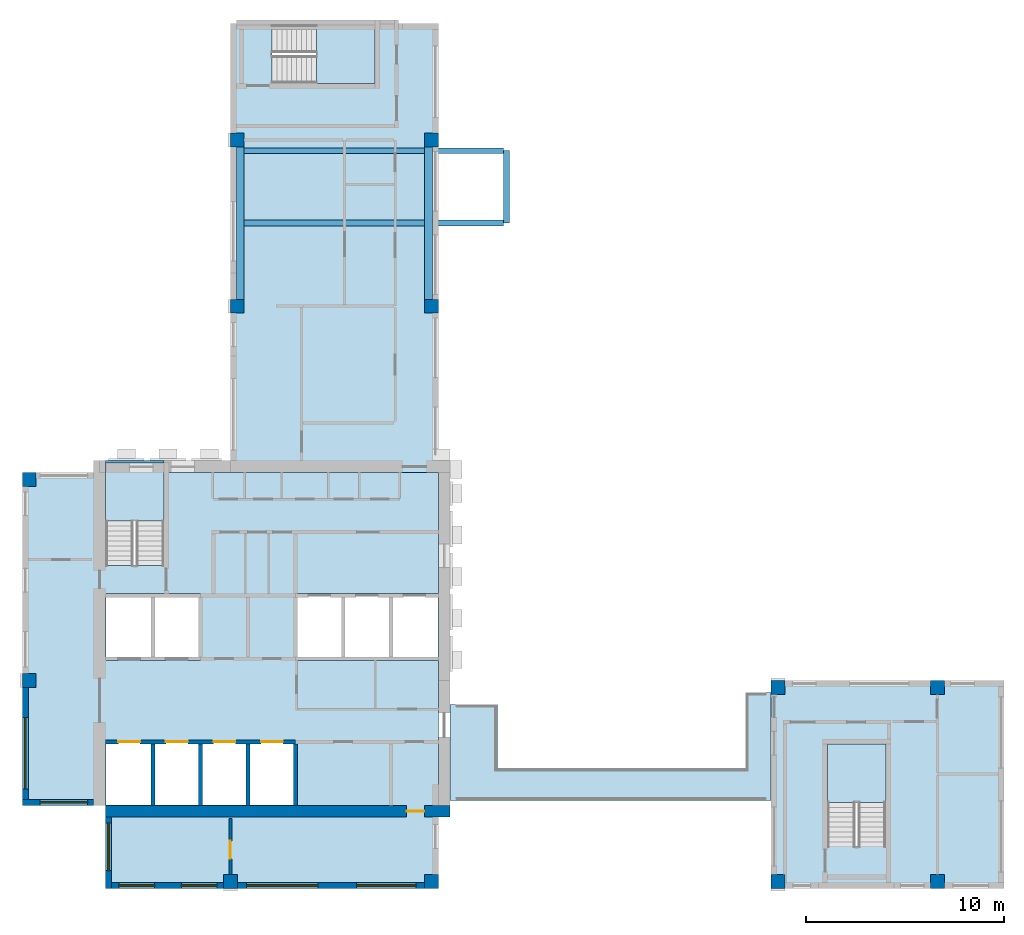
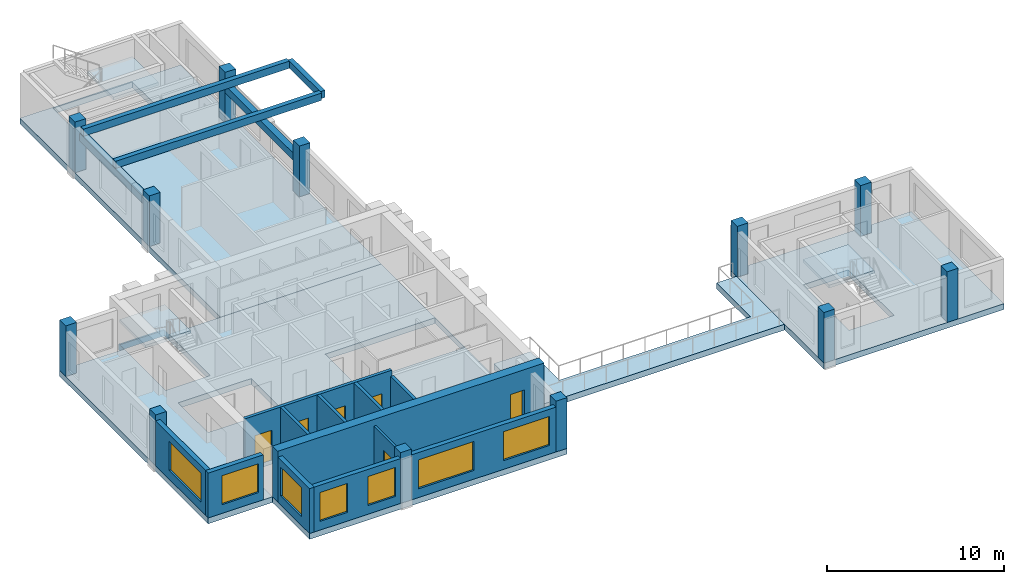
# One storey, part 1 of 9: 12 columns, 12 walls, 8 slabs, 7 windows, 6 doors, 5 beams, 13 openings, 3 elements without a shape of their own.
"""IFC4 building model written with IfcOpenShell, lengths in metres."""

from ifc_helpers import new_model, si_unit, direction, frame, frame_2d, origin, origin_2d, place, context, subcontext, project, spatial, polyline, rectangle, outline, extrude, source, transform, mapped, material, layer, layer_set, material_profile, profile_set, type_object, element, fill, aggregate, save


model = new_model("IFC4")

# Units and contexts
model_context = context("Model", 3, precision=1e-05, world=origin(), true_north=direction((0.0, 1.0)))
body_context = subcontext(model_context, "Body", "Model", "MODEL_VIEW")
ifc_project = project(units=[si_unit("LENGTHUNIT", "METRE"), si_unit("AREAUNIT", "SQUARE_METRE"), si_unit("VOLUMEUNIT", "CUBIC_METRE"), si_unit("PLANEANGLEUNIT", "RADIAN"), si_unit("MASSUNIT", "GRAM", prefix="KILO")], contexts=[model_context])

# Site, building, storey
site_placement = place(None, origin())
site = spatial("IfcSite", under=ifc_project, at=site_placement, CompositionType="ELEMENT")
building_placement = place(site_placement, origin())
building = spatial("IfcBuilding", under=site, at=building_placement, Name="Aurelian Terraces", CompositionType="ELEMENT")
storey_placement = place(building_placement, frame((0.0, 0.0, 295.0)))
storey = spatial("IfcBuildingStorey", under=building, at=storey_placement, Name="L67", CompositionType="ELEMENT", Elevation=295.0)

# Columns
ifc_material_1 = material(Name="Concrete fc' 55 MPa", Category="concrete")
ifc_material_profile_1 = material_profile(ifc_material_1, rectangle(XDim=0.7, YDim=0.7, at=origin_2d()))
ifc_profile_set_1 = profile_set([ifc_material_profile_1], Name="Concrete fc' 55 MPa")
column_type = type_object("IfcColumnType", Name="RC COLUMN 700X700 FC55", PredefinedType="COLUMN", material=ifc_profile_set_1)
shared_shape_1 = source(origin(), body_context, "Body", "SweptSolid", [
    extrude(rectangle(XDim=0.7, YDim=0.7, at=origin_2d()), origin(), (0.0, 0.0, 1.0), 3.5),
])
for number, where, z_axis, x_axis, name in (
    (1, (10.5, 0.35, 0.0), (0.0, 0.0, 1.0), (1.0, 0.0, 0.0), "Column 2/A L67"),
    (2, (20.65, 0.35, 0.0), (0.0, 0.0, 1.0), (1.0, 0.0, 0.0), "Column 3/A L67"),
    (3, (38.15, 0.35, 0.0), (0.0, 0.0, 1.0), (1.0, 0.0, 0.0), "Column 5/A L67"),
    (4, (46.2, 0.35, 0.0), (0.0, 0.0, 1.0), (1.0, 0.0, 0.0), "Column 6/A L67"),
    (5, (0.35, 10.5, 0.0), (0.0, 0.0, 1.0), (1.0, 0.0, 0.0), "Column 1/B L67"),
    (6, (38.15, 10.15, 0.0), (0.0, 0.0, 1.0), (1.0, 0.0, 0.0), "Column 5/B L67"),
    (7, (46.2, 10.15, 0.0), (0.0, 0.0, 1.0), (1.0, 0.0, 0.0), "Column 6/B L67"),
    (8, (0.35, 20.65, 0.0), (0.0, 0.0, 1.0), (1.0, 0.0, 0.0), "Column 1/C L67"),
    (9, (10.85, 29.4, 0.0), (0.0, 0.0, 1.0), (1.0, 0.0, 0.0), "Column 2/D L67"),
    (10, (20.65, 29.4, 0.0), (0.0, 0.0, 1.0), (1.0, 0.0, 0.0), "Column 3/D L67"),
    (11, (10.85, 37.8, 0.0), (0.0, 0.0, 1.0), (1.0, 0.0, 0.0), "Column 2/E L67"),
    (12, (20.65, 37.8, 0.0), (0.0, 0.0, 1.0), (1.0, 0.0, 0.0), "Column 3/E L67"),
):
    element("IfcColumn", number, at=place(storey_placement, frame(where, z_axis=z_axis, x_axis=x_axis)), inside=storey, type_object=column_type, Name=name, PredefinedType="COLUMN", context=body_context, shape_type="MappedRepresentation", body=[
        mapped(shared_shape_1, transform((0.0, 0.0, 0.0), scale=1.0)),
    ])

# Beams
ifc_material_2 = material(Name="Concrete fc' 40 MPa", Category="concrete")
ifc_material_profile_2 = material_profile(ifc_material_2, rectangle(XDim=0.3, YDim=0.5, at=origin_2d()))
ifc_profile_set_2 = profile_set([ifc_material_profile_2], Name="Concrete fc' 40 MPa")
beam_type_1 = type_object("IfcBeamType", Name="CONCRETE CANTILEVER BEAM 300X500", PredefinedType="BEAM", material=ifc_profile_set_2)
beam_placement = place(storey_placement, frame((24.45, 33.6, 2.85), z_axis=(0.0, 1.0, 0.0), x_axis=(-1.0, 0.0, 0.0)))
element("IfcBeam", 13, at=beam_placement, inside=storey, type_object=beam_type_1, Name="Box tip beam J90", PredefinedType="BEAM", context=body_context, shape_type="SweptSolid", body=[
    extrude(rectangle(XDim=0.3, YDim=0.5, at=origin_2d()), origin(), (0.0, 0.0, 1.0), 3.65),
])
ifc_material_profile_3 = material_profile(ifc_material_2, rectangle(XDim=0.4, YDim=0.5, at=origin_2d()))
ifc_profile_set_3 = profile_set([ifc_material_profile_3], Name="Concrete fc' 40 MPa")
beam_type_2 = type_object("IfcBeamType", Name="CONCRETE EDGE GIRDER 400X500", PredefinedType="BEAM", material=ifc_profile_set_3)
shared_shape_2 = source(origin(), body_context, "Body", "SweptSolid", [
    extrude(rectangle(XDim=0.4, YDim=0.5, at=origin_2d()), origin(), (0.0, 0.0, 1.0), 7.7),
])
for number, where, z_axis, x_axis, name in (
    (14, (20.5, 29.75, 2.35), (0.0, 1.0, 0.0), (-1.0, 0.0, 0.0), "Box girder L67 O175"),
    (15, (11.0, 29.75, 2.35), (0.0, 1.0, 0.0), (-1.0, 0.0, 0.0), "Box girder L67 I176"),
):
    element("IfcBeam", number, at=place(storey_placement, frame(where, z_axis=z_axis, x_axis=x_axis)), inside=storey, type_object=beam_type_2, Name=name, PredefinedType="BEAM", context=body_context, shape_type="MappedRepresentation", body=[
        mapped(shared_shape_2, transform((0.0, 0.0, 0.0), scale=1.0)),
    ])
shared_shape_3 = source(origin(), body_context, "Body", "SweptSolid", [
    extrude(rectangle(XDim=0.3, YDim=0.5, at=origin_2d()), origin(), (0.0, 0.0, 1.0), 13.45),
])
for number, where, z_axis, x_axis, name in (
    (16, (24.3, 33.6, 2.85), (-1.0, 0.0, 0.0), (0.0, -1.0, 0.0), "Box cantilever beam J90.1"),
    (17, (24.3, 37.25, 2.85), (-1.0, 0.0, 0.0), (0.0, -1.0, 0.0), "Box cantilever beam J90.2"),
):
    element("IfcBeam", number, at=place(storey_placement, frame(where, z_axis=z_axis, x_axis=x_axis)), inside=storey, type_object=beam_type_1, Name=name, PredefinedType="BEAM", context=body_context, shape_type="MappedRepresentation", body=[
        mapped(shared_shape_3, transform((0.0, 0.0, 0.0), scale=1.0)),
    ])

# Slabs
ifc_layer_1 = layer(ifc_material_2, 0.4001)
ifc_layer_set_1 = layer_set([ifc_layer_1], Name="Terrace slab 400")
slab_type_1 = type_object("IfcSlabType", Name="Terrace slab 400", PredefinedType="NOTDEFINED", material=ifc_layer_set_1)
slab_1_placement = place(storey_placement, frame((0.0, 0.0, -0.4001)))
element("IfcSlab", 18, at=slab_1_placement, inside=storey, type_object=slab_type_1, Name="Sky bridge L67 BLADE-S-B67", PredefinedType="NOTDEFINED", context=body_context, shape_type="SweptSolid", body=[
    extrude(outline(polyline([(37.8, 4.45), (36.5, 4.45), (24.0, 4.45), (21.6, 4.45), (21.6, 6.05), (21.6, 9.3), (24.0, 9.3), (24.0, 6.05), (36.5, 6.05), (36.5, 9.9), (37.8, 9.9), (37.8, 6.05), (37.8, 4.45)])), origin(), (0.0, 0.0, 1.0), 0.4001),
])
ifc_layer_2 = layer(ifc_material_2, 0.4)
ifc_layer_set_2 = layer_set([ifc_layer_2], Name="PT FLAT PLATE 400")
slab_type_2 = type_object("IfcSlabType", Name="PT FLAT PLATE 400", PredefinedType="FLOOR", material=ifc_layer_set_2)
shared_shape_4 = source(origin(), body_context, "Body", "SweptSolid", [
    extrude(outline(polyline([(10.5, 43.68), (14.7, 43.68), (16.8, 43.68), (21.0, 43.68), (21.0, 21.0), (10.5, 21.0), (10.5, 43.68)]), holes=[polyline([(17.79, 43.59), (12.61, 43.59), (12.61, 40.66), (17.79, 40.66), (17.79, 43.59)])]), origin(), (0.0, 0.0, 1.0), 0.4),
])
slab_2_placement = place(storey_placement, frame((0.0, 0.0, -0.4)))
element("IfcSlab", 19, at=slab_2_placement, inside=storey, type_object=slab_type_2, Name="Floor slab W L67", PredefinedType="FLOOR", context=body_context, shape_type="MappedRepresentation", body=[
    mapped(shared_shape_4, transform((0.0, 0.0, 0.0), scale=1.0)),
])
shared_shape_5 = source(origin(), body_context, "Body", "SweptSolid", [
    extrude(outline(polyline([(4.2, 21.0), (4.2, 21.6), (7.15, 21.6), (7.15, 21.0), (7.14, 21.0), (7.14, 21.49), (4.21, 21.49), (4.21, 21.0), (4.2, 21.0)])), origin(), (0.0, 0.0, 1.0), 0.4),
])
slab_3_placement = place(storey_placement, frame((0.0, 0.0, -0.4)))
element("IfcSlab", 20, at=slab_3_placement, inside=storey, type_object=slab_type_2, Name="Floor slab W2 L67", PredefinedType="FLOOR", context=body_context, shape_type="MappedRepresentation", body=[
    mapped(shared_shape_5, transform((0.0, 0.0, 0.0), scale=1.0)),
])
shared_shape_6 = source(origin(), body_context, "Body", "SweptSolid", [
    extrude(outline(polyline([(4.2, 4.2), (0.0, 4.2), (0.0, 10.5), (0.0, 21.0), (4.21, 21.0), (4.21, 16.31), (7.14, 16.31), (7.14, 21.0), (21.0, 21.0), (21.0, 10.5), (21.0, 0.0), (4.2, 0.0), (4.2, 4.2)]), holes=[polyline([(13.81, 14.89), (13.81, 11.51), (20.99, 11.51), (20.99, 14.89), (13.81, 14.89)]), polyline([(4.21, 7.49), (4.21, 4.21), (13.79, 4.21), (13.79, 7.49), (4.21, 7.49)]), polyline([(8.99, 11.51), (8.99, 14.89), (4.21, 14.89), (4.21, 11.51), (8.99, 11.51)])]), origin(), (0.0, 0.0, 1.0), 0.4),
])
slab_4_placement = place(storey_placement, frame((0.0, 0.0, -0.4)))
element("IfcSlab", 21, at=slab_4_placement, inside=storey, type_object=slab_type_2, Name="Floor slab S L67", PredefinedType="FLOOR", context=body_context, shape_type="MappedRepresentation", body=[
    mapped(shared_shape_6, transform((0.0, 0.0, 0.0), scale=1.0)),
])
shared_shape_7 = source(origin(), body_context, "Body", "SweptSolid", [
    extrude(outline(polyline([(37.8, 10.5), (49.56, 10.5), (49.56, 6.3), (49.56, 4.2), (49.56, 0.0), (37.8, 0.0), (37.8, 10.5)]), holes=[polyline([(40.66, 2.11), (43.59, 2.11), (43.59, 7.29), (40.66, 7.29), (40.66, 2.11)])]), origin(), (0.0, 0.0, 1.0), 0.4),
])
slab_5_placement = place(storey_placement, frame((0.0, 0.0, -0.4)))
element("IfcSlab", 22, at=slab_5_placement, inside=storey, type_object=slab_type_2, Name="Floor slab S2 L67", PredefinedType="FLOOR", context=body_context, shape_type="MappedRepresentation", body=[
    mapped(shared_shape_7, transform((0.0, 0.0, 0.0), scale=1.0)),
])

# Stair, slab
stair_type = type_object("IfcStairType", Name="Stair 1400", PredefinedType="HALF_TURN_STAIR", material=ifc_material_2)
stair_1_placement = place(storey_placement, origin())
stair_1 = element("IfcStair", 23, at=stair_1_placement, inside=storey, type_object=stair_type, Name="L67 S1", PredefinedType="HALF_TURN_STAIR")
ifc_layer_3 = layer(ifc_material_2, 0.2)
ifc_layer_set_3 = layer_set([ifc_layer_3], Name="Stair landing 200")
slab_type_3 = type_object("IfcSlabType", Name="Stair landing 200", PredefinedType="LANDING", material=ifc_layer_set_3)
shared_shape_8 = source(origin(), body_context, "Body", "SweptSolid", [
    extrude(outline(polyline([(7.15, 18.55), (7.15, 21.5), (4.2, 21.5), (4.2, 18.55), (7.15, 18.55)])), origin(), (0.0, 0.0, 1.0), 0.2),
])
slab_6_placement = place(storey_placement, frame((0.0, 0.0, 1.55)))
slab_6 = element("IfcSlab", 24, at=slab_6_placement, type_object=slab_type_3, Name="S1 landing 1", PredefinedType="LANDING", context=body_context, shape_type="MappedRepresentation", body=[
    mapped(shared_shape_8, transform((0.0, 0.0, 0.0), scale=1.0)),
])
aggregate(stair_1, [slab_6])

stair_2_placement = place(storey_placement, origin())
stair_2 = element("IfcStair", 25, at=stair_2_placement, inside=storey, type_object=stair_type, Name="L67 S2", PredefinedType="HALF_TURN_STAIR")
shared_shape_9 = source(origin(), body_context, "Body", "SweptSolid", [
    extrude(outline(polyline([(43.6, 4.35), (43.6, 7.3), (40.65, 7.3), (40.65, 4.35), (43.6, 4.35)])), origin(), (0.0, 0.0, 1.0), 0.2),
])
slab_7_placement = place(storey_placement, frame((0.0, 0.0, 1.55)))
slab_7 = element("IfcSlab", 26, at=slab_7_placement, type_object=slab_type_3, Name="S2 landing 1", PredefinedType="LANDING", context=body_context, shape_type="MappedRepresentation", body=[
    mapped(shared_shape_9, transform((0.0, 0.0, 0.0), scale=1.0)),
])
aggregate(stair_2, [slab_7])

stair_3_placement = place(storey_placement, origin())
stair_3 = element("IfcStair", 27, at=stair_3_placement, inside=storey, type_object=stair_type, Name="L67 S3U", PredefinedType="HALF_TURN_STAIR")
shared_shape_10 = source(origin(), body_context, "Body", "SweptSolid", [
    extrude(outline(polyline([(14.85, 40.65), (17.8, 40.65), (17.8, 43.6), (14.85, 43.6), (14.85, 40.65)])), origin(), (0.0, 0.0, 1.0), 0.2),
])
slab_8_placement = place(storey_placement, frame((0.0, 0.0, 1.55)))
slab_8 = element("IfcSlab", 28, at=slab_8_placement, type_object=slab_type_3, Name="S3U landing 1", PredefinedType="LANDING", context=body_context, shape_type="MappedRepresentation", body=[
    mapped(shared_shape_10, transform((0.0, 0.0, 0.0), scale=1.0)),
])
aggregate(stair_3, [slab_8])

# Wall, opening, door
ifc_material_3 = material(Name="Gypsum board on steel studs", Category="steel")
ifc_layer_4 = layer(ifc_material_3, 0.15)
ifc_layer_set_4 = layer_set([ifc_layer_4], Name="Partition 150")
wall_type_1 = type_object("IfcWallType", Name="Partition 150", PredefinedType="PARTITIONING", material=ifc_layer_set_4)
wall_1_placement = place(storey_placement, frame((10.5, 3.525, 0.0), z_axis=(0.0, 0.0, 1.0), x_axis=(0.0, -1.0, 0.0)))
wall_1 = element("IfcWall", 29, at=wall_1_placement, inside=storey, type_object=wall_type_1, Name="Partition", PredefinedType="PARTITIONING", context=body_context, shape_type="SweptSolid", body=[
    extrude(rectangle(XDim=2.826, YDim=0.15, at=frame_2d((1.413, 0.0))), origin(), (0.0, 0.0, 1.0), 3.1),
])
shared_shape_11 = source(origin(), body_context, "Body", "SweptSolid", [
    extrude(rectangle(XDim=0.9, YDim=2.1, at=frame_2d((0.45, 1.05))), frame((0.0, 0.085, 0.0), z_axis=(0.0, -1.0, 0.0), x_axis=(1.0, 0.0, 0.0)), (0.0, 0.0, 1.0), 0.17),
])
opening_1_placement = place(wall_1_placement, frame((1.125, 0.0, 0.0)))
opening_1 = element("IfcOpeningElement", 30, at=opening_1_placement, cuts=wall_1, Name="Opening 767001", PredefinedType="OPENING", context=body_context, shape_type="MappedRepresentation", body=[
    mapped(shared_shape_11, transform((0.0, 0.0, 0.0), scale=1.0)),
])
ifc_material_4 = material(Name="Timber door leaf", Category="wood")
door_type_1 = type_object("IfcDoorType", Name="Room door 900x2100 left", OperationType="SINGLE_SWING_LEFT", PredefinedType="DOOR", material=ifc_material_4)
shared_shape_12 = source(origin(), body_context, "Body", "SweptSolid", [
    extrude(rectangle(XDim=0.9, YDim=2.1, at=frame_2d((0.45, 1.05))), frame((0.0, 0.025, 0.0), z_axis=(0.0, -1.0, 0.0), x_axis=(1.0, 0.0, 0.0)), (0.0, 0.0, 1.0), 0.05),
])
door_1_placement = place(opening_1_placement, origin())
door_1 = element("IfcDoor", 31, at=door_1_placement, inside=storey, type_object=door_type_1, Name="Door 767001", OperationType="SINGLE_SWING_LEFT", OverallHeight=2.1, OverallWidth=0.9, PredefinedType="DOOR", context=body_context, shape_type="MappedRepresentation", body=[
    mapped(shared_shape_12, transform((0.0, 0.0, 0.0), scale=1.0)),
])
fill(opening_1, door_1)

ifc_layer_5 = layer(ifc_material_1, 0.6)
ifc_layer_set_5 = layer_set([ifc_layer_5], Name="CORE WALL 600 FC55")
wall_type_2 = type_object("IfcWallType", Name="CORE WALL 600 FC55", PredefinedType="SHEAR", material=ifc_layer_set_5)
shared_shape_13 = source(origin(), body_context, "Body", "SweptSolid", [
    extrude(rectangle(XDim=17.4, YDim=0.6, at=frame_2d((8.7, 0.0))), origin(), (0.0, 0.0, 1.0), 3.5),
])
wall_2_placement = place(storey_placement, frame((4.2, 3.9, 0.0), z_axis=(0.0, 0.0, 1.0), x_axis=(1.0, 0.0, 0.0)))
wall_2 = element("IfcWall", 32, at=wall_2_placement, inside=storey, type_object=wall_type_2, Name="Core wall S L67", PredefinedType="SHEAR", context=body_context, shape_type="MappedRepresentation", body=[
    mapped(shared_shape_13, transform((0.0, 0.0, 0.0), scale=1.0)),
])
shared_shape_14 = source(origin(), body_context, "Body", "SweptSolid", [
    extrude(rectangle(XDim=0.9, YDim=2.1, at=frame_2d((0.45, 1.05))), frame((0.0, 0.31, 0.0), z_axis=(0.0, -1.0, 0.0), x_axis=(1.0, 0.0, 0.0)), (0.0, 0.0, 1.0), 0.62),
])
opening_2_placement = place(wall_2_placement, frame((15.2, 0.0, 0.0)))
opening_2 = element("IfcOpeningElement", 33, at=opening_2_placement, cuts=wall_2, Name="Opening 67034", PredefinedType="OPENING", context=body_context, shape_type="MappedRepresentation", body=[
    mapped(shared_shape_14, transform((0.0, 0.0, 0.0), scale=1.0)),
])
ifc_material_5 = material(Name="Steel door leaf", Category="steel")
door_type_2 = type_object("IfcDoorType", Name="Core service door 900x2100 right", OperationType="SINGLE_SWING_RIGHT", PredefinedType="DOOR", material=ifc_material_5)
door_2_placement = place(opening_2_placement, origin())
door_2 = element("IfcDoor", 34, at=door_2_placement, inside=storey, type_object=door_type_2, Name="Core door 67034", OperationType="SINGLE_SWING_RIGHT", OverallHeight=2.1, OverallWidth=0.9, PredefinedType="DOOR", context=body_context, shape_type="MappedRepresentation", body=[
    mapped(shared_shape_12, transform((0.0, 0.0, 0.0), scale=1.0)),
])
fill(opening_2, door_2)

# Wall, opening, window
ifc_material_6 = material(Name="Terracotta rainscreen cladding", Category="masonry")
ifc_layer_6 = layer(ifc_material_6, 0.3)
ifc_layer_set_6 = layer_set([ifc_layer_6], Name="EW-300")
wall_type_3 = type_object("IfcWallType", Name="EW-300", PredefinedType="STANDARD", material=ifc_layer_set_6)
shared_shape_15 = source(origin(), body_context, "Body", "SweptSolid", [
    extrude(rectangle(XDim=3.6, YDim=0.3, at=frame_2d((1.8, 0.0))), origin(), (0.0, 0.0, 1.0), 3.1),
])
wall_3_placement = place(storey_placement, frame((0.0, 4.35, 0.0), z_axis=(0.0, 0.0, 1.0), x_axis=(1.0, 0.0, 0.0)))
wall_3 = element("IfcWall", 35, at=wall_3_placement, inside=storey, type_object=wall_type_3, Name="External wall L67 F11.19", PredefinedType="STANDARD", context=body_context, shape_type="MappedRepresentation", body=[
    mapped(shared_shape_15, transform((0.0, 0.0, 0.0), scale=1.0)),
])
shared_shape_16 = source(origin(), body_context, "Body", "SweptSolid", [
    extrude(rectangle(XDim=2.4, YDim=2.0, at=frame_2d((1.2, 1.0))), frame((0.0, 0.16, 0.0), z_axis=(0.0, -1.0, 0.0), x_axis=(1.0, 0.0, 0.0)), (0.0, 0.0, 1.0), 0.32),
])
opening_3_placement = place(wall_3_placement, frame((0.9, 0.0, 0.6)))
opening_3 = element("IfcOpeningElement", 36, at=opening_3_placement, cuts=wall_3, Name="Opening W2420", PredefinedType="OPENING", context=body_context, shape_type="MappedRepresentation", body=[
    mapped(shared_shape_16, transform((0.0, 0.0, 0.0), scale=1.0)),
])
ifc_material_7 = material(Name="Clear glazing", Category="glass")
window_type_1 = type_object("IfcWindowType", Name="W-2400x2000", PartitioningType="SINGLE_PANEL", PredefinedType="WINDOW", material=ifc_material_7)
shared_shape_17 = source(origin(), body_context, "Body", "SweptSolid", [
    extrude(rectangle(XDim=2.4, YDim=2.0, at=frame_2d((1.2, 1.0))), frame((0.0, 0.03, 0.0), z_axis=(0.0, -1.0, 0.0), x_axis=(1.0, 0.0, 0.0)), (0.0, 0.0, 1.0), 0.06),
])
window_1_placement = place(opening_3_placement, origin())
window_1 = element("IfcWindow", 37, at=window_1_placement, inside=storey, type_object=window_type_1, Name="Window L67 L67-F11-19-0", OverallHeight=2.0, OverallWidth=2.4, PartitioningType="SINGLE_PANEL", PredefinedType="WINDOW", context=body_context, shape_type="MappedRepresentation", body=[
    mapped(shared_shape_17, transform((0.0, 0.0, 0.0), scale=1.0)),
])
fill(opening_3, window_1)

wall_4_placement = place(storey_placement, frame((4.35, 3.6, 0.0), z_axis=(0.0, 0.0, 1.0), x_axis=(0.0, -1.0, 0.0)))
wall_4 = element("IfcWall", 38, at=wall_4_placement, inside=storey, type_object=wall_type_3, Name="External wall L67 F12.20", PredefinedType="STANDARD", context=body_context, shape_type="MappedRepresentation", body=[
    mapped(shared_shape_15, transform((0.0, 0.0, 0.0), scale=1.0)),
])
opening_4_placement = place(wall_4_placement, frame((0.3, 0.0, 0.6)))
opening_4 = element("IfcOpeningElement", 39, at=opening_4_placement, cuts=wall_4, Name="Opening W2420", PredefinedType="OPENING", context=body_context, shape_type="MappedRepresentation", body=[
    mapped(shared_shape_16, transform((0.0, 0.0, 0.0), scale=1.0)),
])
window_2_placement = place(opening_4_placement, origin())
window_2 = element("IfcWindow", 40, at=window_2_placement, inside=storey, type_object=window_type_1, Name="Window L67 L67-F12-20-0", OverallHeight=2.0, OverallWidth=2.4, PartitioningType="SINGLE_PANEL", PredefinedType="WINDOW", context=body_context, shape_type="MappedRepresentation", body=[
    mapped(shared_shape_17, transform((0.0, 0.0, 0.0), scale=1.0)),
])
fill(opening_4, window_2)

# Wall, openings, windows
shared_shape_18 = source(origin(), body_context, "Body", "SweptSolid", [
    extrude(rectangle(XDim=5.95, YDim=0.3, at=frame_2d((2.975, 0.0))), origin(), (0.0, 0.0, 1.0), 3.1),
])
wall_5_placement = place(storey_placement, frame((4.2, 0.15, 0.0), z_axis=(0.0, 0.0, 1.0), x_axis=(1.0, 0.0, 0.0)))
wall_5 = element("IfcWall", 41, at=wall_5_placement, inside=storey, type_object=wall_type_3, Name="External wall L67 F01.1", PredefinedType="STANDARD", context=body_context, shape_type="MappedRepresentation", body=[
    mapped(shared_shape_18, transform((0.0, 0.0, 0.0), scale=1.0)),
])
shared_shape_19 = source(origin(), body_context, "Body", "SweptSolid", [
    extrude(rectangle(XDim=1.8, YDim=2.0, at=frame_2d((0.9, 1.0))), frame((0.0, 0.16, 0.0), z_axis=(0.0, -1.0, 0.0), x_axis=(1.0, 0.0, 0.0)), (0.0, 0.0, 1.0), 0.32),
])
opening_5_placement = place(wall_5_placement, frame((0.675, 0.0, 0.6)))
opening_5 = element("IfcOpeningElement", 42, at=opening_5_placement, cuts=wall_5, Name="Opening W1820", PredefinedType="OPENING", context=body_context, shape_type="MappedRepresentation", body=[
    mapped(shared_shape_19, transform((0.0, 0.0, 0.0), scale=1.0)),
])
opening_6_placement = place(wall_5_placement, frame((3.825, 0.0, 0.6)))
opening_6 = element("IfcOpeningElement", 43, at=opening_6_placement, cuts=wall_5, Name="Opening W1820", PredefinedType="OPENING", context=body_context, shape_type="MappedRepresentation", body=[
    mapped(shared_shape_19, transform((0.0, 0.0, 0.0), scale=1.0)),
])
window_type_2 = type_object("IfcWindowType", Name="W-1800x2000", PartitioningType="SINGLE_PANEL", PredefinedType="WINDOW", material=ifc_material_7)
shared_shape_20 = source(origin(), body_context, "Body", "SweptSolid", [
    extrude(rectangle(XDim=1.8, YDim=2.0, at=frame_2d((0.9, 1.0))), frame((0.0, 0.03, 0.0), z_axis=(0.0, -1.0, 0.0), x_axis=(1.0, 0.0, 0.0)), (0.0, 0.0, 1.0), 0.06),
])
window_3_placement = place(opening_5_placement, origin())
window_3 = element("IfcWindow", 44, at=window_3_placement, inside=storey, type_object=window_type_2, Name="Window L67 L67-F01-01-0", OverallHeight=2.0, OverallWidth=1.8, PartitioningType="SINGLE_PANEL", PredefinedType="WINDOW", context=body_context, shape_type="MappedRepresentation", body=[
    mapped(shared_shape_20, transform((0.0, 0.0, 0.0), scale=1.0)),
])
fill(opening_5, window_3)
window_4_placement = place(opening_6_placement, origin())
window_4 = element("IfcWindow", 45, at=window_4_placement, inside=storey, type_object=window_type_2, Name="Window L67 L67-F01-01-1", OverallHeight=2.0, OverallWidth=1.8, PartitioningType="SINGLE_PANEL", PredefinedType="WINDOW", context=body_context, shape_type="MappedRepresentation", body=[
    mapped(shared_shape_20, transform((0.0, 0.0, 0.0), scale=1.0)),
])
fill(opening_6, window_4)

# Wall, opening, window
wall_6_placement = place(storey_placement, frame((0.15, 10.15, 0.0), z_axis=(0.0, 0.0, 1.0), x_axis=(0.0, -1.0, 0.0)))
wall_6 = element("IfcWall", 46, at=wall_6_placement, inside=storey, type_object=wall_type_3, Name="External wall L67 F10.18", PredefinedType="STANDARD", context=body_context, shape_type="MappedRepresentation", body=[
    mapped(shared_shape_18, transform((0.0, 0.0, 0.0), scale=1.0)),
])
shared_shape_21 = source(origin(), body_context, "Body", "SweptSolid", [
    extrude(rectangle(XDim=3.6, YDim=2.0, at=frame_2d((1.8, 1.0))), frame((0.0, 0.16, 0.0), z_axis=(0.0, -1.0, 0.0), x_axis=(1.0, 0.0, 0.0)), (0.0, 0.0, 1.0), 0.32),
])
opening_7_placement = place(wall_6_placement, frame((1.525, 0.0, 0.6)))
opening_7 = element("IfcOpeningElement", 47, at=opening_7_placement, cuts=wall_6, Name="Opening W3620", PredefinedType="OPENING", context=body_context, shape_type="MappedRepresentation", body=[
    mapped(shared_shape_21, transform((0.0, 0.0, 0.0), scale=1.0)),
])
window_type_3 = type_object("IfcWindowType", Name="W-3600x2000", PartitioningType="SINGLE_PANEL", PredefinedType="WINDOW", material=ifc_material_7)
shared_shape_22 = source(origin(), body_context, "Body", "SweptSolid", [
    extrude(rectangle(XDim=3.6, YDim=2.0, at=frame_2d((1.8, 1.0))), frame((0.0, 0.03, 0.0), z_axis=(0.0, -1.0, 0.0), x_axis=(1.0, 0.0, 0.0)), (0.0, 0.0, 1.0), 0.06),
])
window_5_placement = place(opening_7_placement, origin())
window_5 = element("IfcWindow", 48, at=window_5_placement, inside=storey, type_object=window_type_3, Name="Window L67 L67-F10-18-3", OverallHeight=2.0, OverallWidth=3.6, PartitioningType="SINGLE_PANEL", PredefinedType="WINDOW", context=body_context, shape_type="MappedRepresentation", body=[
    mapped(shared_shape_22, transform((0.0, 0.0, 0.0), scale=1.0)),
])
fill(opening_7, window_5)

# Wall, openings, windows
shared_shape_23 = source(origin(), body_context, "Body", "SweptSolid", [
    extrude(rectangle(XDim=9.45, YDim=0.3, at=frame_2d((4.725, 0.0))), origin(), (0.0, 0.0, 1.0), 3.1),
])
wall_7_placement = place(storey_placement, frame((10.85, 0.15, 0.0), z_axis=(0.0, 0.0, 1.0), x_axis=(1.0, 0.0, 0.0)))
wall_7 = element("IfcWall", 49, at=wall_7_placement, inside=storey, type_object=wall_type_3, Name="External wall L67 F01.2", PredefinedType="STANDARD", context=body_context, shape_type="MappedRepresentation", body=[
    mapped(shared_shape_23, transform((0.0, 0.0, 0.0), scale=1.0)),
])
opening_8_placement = place(wall_7_placement, frame((0.475, 0.0, 0.6)))
opening_8 = element("IfcOpeningElement", 50, at=opening_8_placement, cuts=wall_7, Name="Opening W3620", PredefinedType="OPENING", context=body_context, shape_type="MappedRepresentation", body=[
    mapped(shared_shape_21, transform((0.0, 0.0, 0.0), scale=1.0)),
])
shared_shape_24 = source(origin(), body_context, "Body", "SweptSolid", [
    extrude(rectangle(XDim=3.0, YDim=2.0, at=frame_2d((1.5, 1.0))), frame((0.0, 0.16, 0.0), z_axis=(0.0, -1.0, 0.0), x_axis=(1.0, 0.0, 0.0)), (0.0, 0.0, 1.0), 0.32),
])
opening_9_placement = place(wall_7_placement, frame((6.025, 0.0, 0.6)))
opening_9 = element("IfcOpeningElement", 51, at=opening_9_placement, cuts=wall_7, Name="Opening W3020", PredefinedType="OPENING", context=body_context, shape_type="MappedRepresentation", body=[
    mapped(shared_shape_24, transform((0.0, 0.0, 0.0), scale=1.0)),
])
window_type_4 = type_object("IfcWindowType", Name="W-3000x2000", PartitioningType="SINGLE_PANEL", PredefinedType="WINDOW", material=ifc_material_7)
shared_shape_25 = source(origin(), body_context, "Body", "SweptSolid", [
    extrude(rectangle(XDim=3.0, YDim=2.0, at=frame_2d((1.5, 1.0))), frame((0.0, 0.03, 0.0), z_axis=(0.0, -1.0, 0.0), x_axis=(1.0, 0.0, 0.0)), (0.0, 0.0, 1.0), 0.06),
])
window_6_placement = place(opening_9_placement, origin())
window_6 = element("IfcWindow", 52, at=window_6_placement, inside=storey, type_object=window_type_4, Name="Window L67 L67-F01-02-1", OverallHeight=2.0, OverallWidth=3.0, PartitioningType="SINGLE_PANEL", PredefinedType="WINDOW", context=body_context, shape_type="MappedRepresentation", body=[
    mapped(shared_shape_25, transform((0.0, 0.0, 0.0), scale=1.0)),
])
fill(opening_9, window_6)
window_7_placement = place(opening_8_placement, origin())
window_7 = element("IfcWindow", 53, at=window_7_placement, inside=storey, type_object=window_type_3, Name="Window L67 L67-F01-02-0", OverallHeight=2.0, OverallWidth=3.6, PartitioningType="SINGLE_PANEL", PredefinedType="WINDOW", context=body_context, shape_type="MappedRepresentation", body=[
    mapped(shared_shape_22, transform((0.0, 0.0, 0.0), scale=1.0)),
])
fill(opening_8, window_7)

# Walls
ifc_layer_7 = layer(ifc_material_2, 0.2)
ifc_layer_set_7 = layer_set([ifc_layer_7], Name="Lift shaft wall 200")
wall_type_4 = type_object("IfcWallType", Name="Lift shaft wall 200", PredefinedType="SOLIDWALL", material=ifc_layer_set_7)
shared_shape_26 = source(origin(), body_context, "Body", "SweptSolid", [
    extrude(rectangle(XDim=3.1, YDim=0.2, at=frame_2d((1.55, 0.0))), origin(), (0.0, 0.0, 1.0), 3.5),
])
for number, where, z_axis, x_axis, name in (
    (54, (6.6, 4.2, 0.0), (0.0, 0.0, 1.0), (0.0, 1.0, 0.0), "L67 core wall CD-A1"),
    (55, (9.0, 4.2, 0.0), (0.0, 0.0, 1.0), (0.0, 1.0, 0.0), "L67 core wall CD-A2"),
    (56, (11.4, 4.2, 0.0), (0.0, 0.0, 1.0), (0.0, 1.0, 0.0), "L67 core wall CD-A3"),
):
    element("IfcWall", number, at=place(storey_placement, frame(where, z_axis=z_axis, x_axis=x_axis)), inside=storey, type_object=wall_type_4, Name=name, PredefinedType="SOLIDWALL", context=body_context, shape_type="MappedRepresentation", body=[
        mapped(shared_shape_26, transform((0.0, 0.0, 0.0), scale=1.0)),
    ])
shared_shape_27 = source(origin(), body_context, "Body", "SweptSolid", [
    extrude(rectangle(XDim=3.1, YDim=0.2, at=frame_2d((1.55, 0.0))), origin(), (0.0, 0.0, 1.0), 3.1),
])
wall_8_placement = place(storey_placement, frame((13.8, 4.2, 0.0), z_axis=(0.0, 0.0, 1.0), x_axis=(0.0, 1.0, 0.0)))
element("IfcWall", 57, at=wall_8_placement, inside=storey, type_object=wall_type_4, Name="L67 core wall CD-A4", PredefinedType="SOLIDWALL", context=body_context, shape_type="MappedRepresentation", body=[
    mapped(shared_shape_27, transform((0.0, 0.0, 0.0), scale=1.0)),
])

# Wall, openings, doors
shared_shape_28 = source(origin(), body_context, "Body", "SweptSolid", [
    extrude(rectangle(XDim=9.6, YDim=0.2, at=frame_2d((4.8, 0.0))), origin(), (0.0, 0.0, 1.0), 3.5),
])
wall_9_placement = place(storey_placement, frame((4.2, 7.4, 0.0), z_axis=(0.0, 0.0, 1.0), x_axis=(1.0, 0.0, 0.0)))
wall_9 = element("IfcWall", 58, at=wall_9_placement, inside=storey, type_object=wall_type_4, Name="L67 core wall CF-AF1", PredefinedType="SOLIDWALL", context=body_context, shape_type="MappedRepresentation", body=[
    mapped(shared_shape_28, transform((0.0, 0.0, 0.0), scale=1.0)),
])
shared_shape_29 = source(origin(), body_context, "Body", "SweptSolid", [
    extrude(rectangle(XDim=1.1, YDim=2.1, at=frame_2d((0.55, 1.05))), frame((0.0, 0.11, 0.0), z_axis=(0.0, -1.0, 0.0), x_axis=(1.0, 0.0, 0.0)), (0.0, 0.0, 1.0), 0.22),
])
opening_10_placement = place(wall_9_placement, frame((0.65, 0.0, 0.0)))
opening_10 = element("IfcOpeningElement", 59, at=opening_10_placement, cuts=wall_9, Name="Opening 67000", PredefinedType="OPENING", context=body_context, shape_type="MappedRepresentation", body=[
    mapped(shared_shape_29, transform((0.0, 0.0, 0.0), scale=1.0)),
])
opening_11_placement = place(wall_9_placement, frame((3.05, 0.0, 0.0)))
opening_11 = element("IfcOpeningElement", 60, at=opening_11_placement, cuts=wall_9, Name="Opening 67001", PredefinedType="OPENING", context=body_context, shape_type="MappedRepresentation", body=[
    mapped(shared_shape_29, transform((0.0, 0.0, 0.0), scale=1.0)),
])
opening_12_placement = place(wall_9_placement, frame((5.45, 0.0, 0.0)))
opening_12 = element("IfcOpeningElement", 61, at=opening_12_placement, cuts=wall_9, Name="Opening 67002", PredefinedType="OPENING", context=body_context, shape_type="MappedRepresentation", body=[
    mapped(shared_shape_29, transform((0.0, 0.0, 0.0), scale=1.0)),
])
opening_13_placement = place(wall_9_placement, frame((7.85, 0.0, 0.0)))
opening_13 = element("IfcOpeningElement", 62, at=opening_13_placement, cuts=wall_9, Name="Opening 67003", PredefinedType="OPENING", context=body_context, shape_type="MappedRepresentation", body=[
    mapped(shared_shape_29, transform((0.0, 0.0, 0.0), scale=1.0)),
])
ifc_material_8 = material(Name="Stainless steel", Category="steel")
door_type_3 = type_object("IfcDoorType", Name="Lift landing door 1100x2100", OperationType="SLIDING_TO_LEFT", PredefinedType="DOOR", material=ifc_material_8)
shared_shape_30 = source(origin(), body_context, "Body", "SweptSolid", [
    extrude(rectangle(XDim=1.1, YDim=2.1, at=frame_2d((0.55, 1.05))), frame((0.0, 0.025, 0.0), z_axis=(0.0, -1.0, 0.0), x_axis=(1.0, 0.0, 0.0)), (0.0, 0.0, 1.0), 0.05),
])
door_3_placement = place(opening_10_placement, origin())
door_3 = element("IfcDoor", 63, at=door_3_placement, inside=storey, type_object=door_type_3, Name="Lift landing door LH1 L67", OperationType="SLIDING_TO_LEFT", OverallHeight=2.1, OverallWidth=1.1, PredefinedType="DOOR", context=body_context, shape_type="MappedRepresentation", body=[
    mapped(shared_shape_30, transform((0.0, 0.0, 0.0), scale=1.0)),
])
fill(opening_10, door_3)
door_4_placement = place(opening_11_placement, origin())
door_4 = element("IfcDoor", 64, at=door_4_placement, inside=storey, type_object=door_type_3, Name="Lift landing door LH2 L67", OperationType="SLIDING_TO_LEFT", OverallHeight=2.1, OverallWidth=1.1, PredefinedType="DOOR", context=body_context, shape_type="MappedRepresentation", body=[
    mapped(shared_shape_30, transform((0.0, 0.0, 0.0), scale=1.0)),
])
fill(opening_11, door_4)
door_5_placement = place(opening_12_placement, origin())
door_5 = element("IfcDoor", 65, at=door_5_placement, inside=storey, type_object=door_type_3, Name="Lift landing door LH3 L67", OperationType="SLIDING_TO_LEFT", OverallHeight=2.1, OverallWidth=1.1, PredefinedType="DOOR", context=body_context, shape_type="MappedRepresentation", body=[
    mapped(shared_shape_30, transform((0.0, 0.0, 0.0), scale=1.0)),
])
fill(opening_12, door_5)
door_6_placement = place(opening_13_placement, origin())
door_6 = element("IfcDoor", 66, at=door_6_placement, inside=storey, type_object=door_type_3, Name="Lift landing door LH4 L67", OperationType="SLIDING_TO_LEFT", OverallHeight=2.1, OverallWidth=1.1, PredefinedType="DOOR", context=body_context, shape_type="MappedRepresentation", body=[
    mapped(shared_shape_30, transform((0.0, 0.0, 0.0), scale=1.0)),
])
fill(opening_13, door_6)

save(model, "model.ifc")
